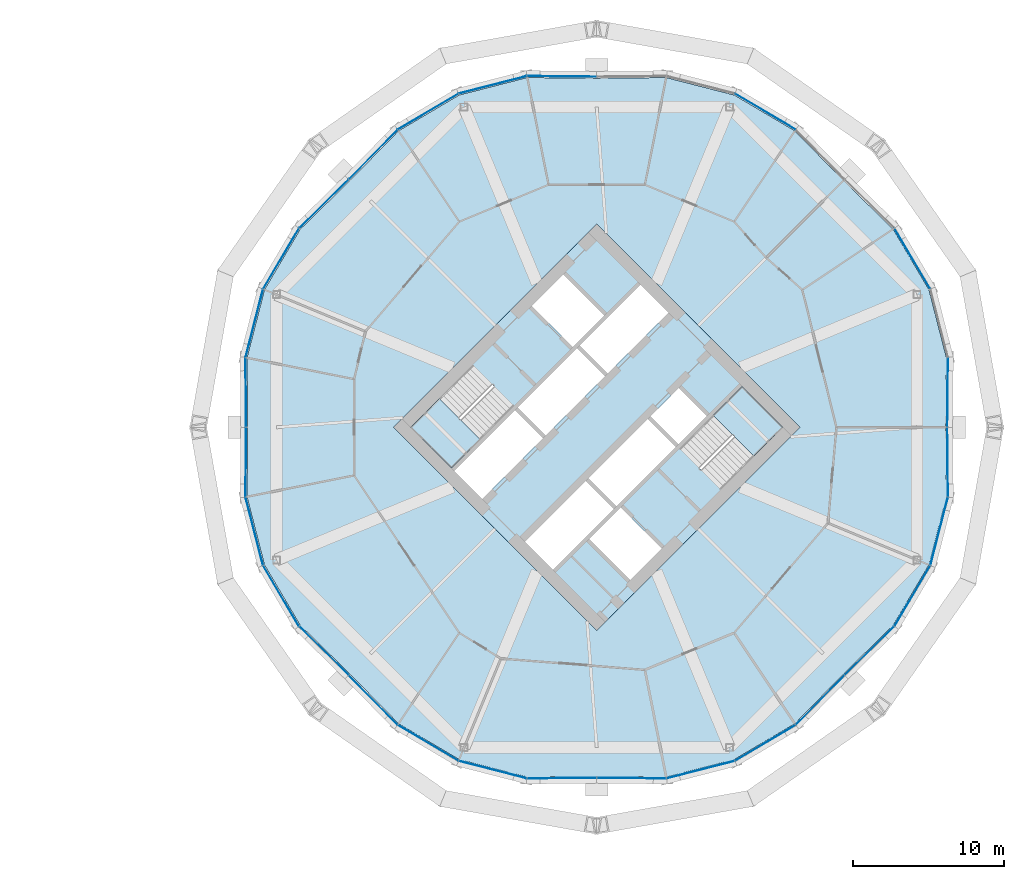
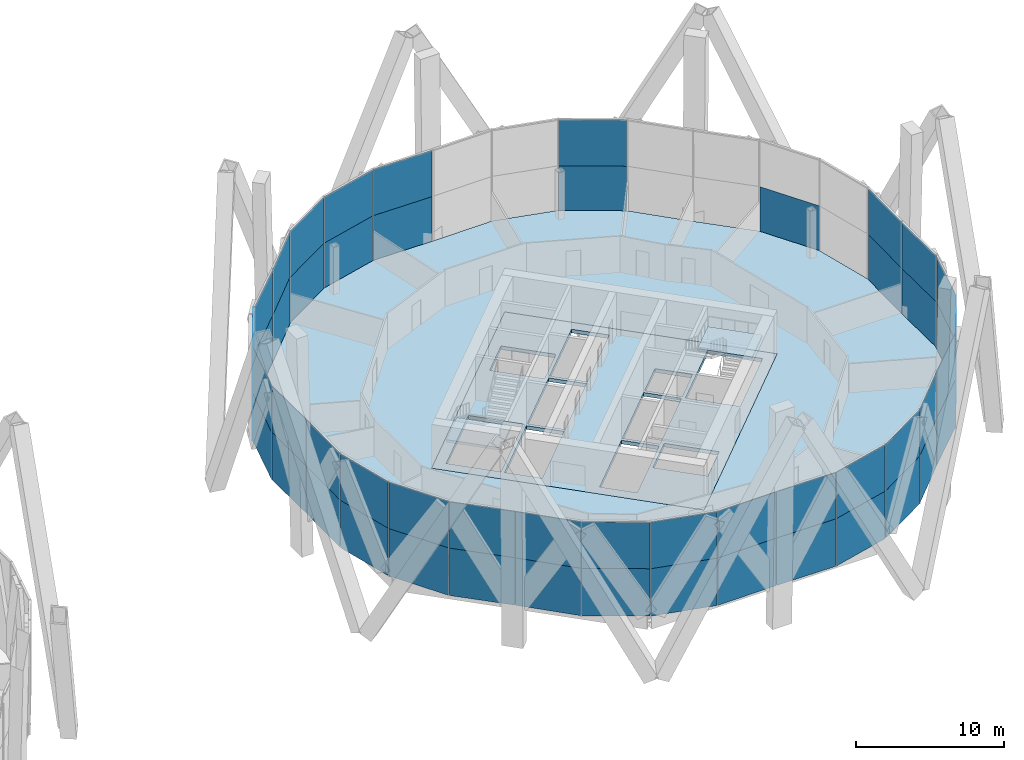
# One storey, part 20 of 31: 53 plates, 4 slabs, 10 elements without a shape of their own.
"""IFC4 building model written with IfcOpenShell, lengths in metres."""

from ifc_helpers import new_model, si_unit, direction, frame, origin, origin_2d, place, context, subcontext, project, spatial, polyline, rectangle, outline, extrude, material, layer, layer_set, type_object, element, aggregate, save


model = new_model("IFC4")

# Units and contexts
model_context = context("Model", 3, precision=1e-05, world=origin(), true_north=direction((0.0, 1.0)))
body_context = subcontext(model_context, "Body", "Model", "MODEL_VIEW")
ifc_project = project(units=[si_unit("LENGTHUNIT", "METRE"), si_unit("AREAUNIT", "SQUARE_METRE"), si_unit("VOLUMEUNIT", "CUBIC_METRE"), si_unit("PLANEANGLEUNIT", "RADIAN"), si_unit("MASSUNIT", "GRAM", prefix="KILO")], contexts=[model_context])

# Site, building, storey
site_placement = place(None, origin())
site = spatial("IfcSite", under=ifc_project, at=site_placement, CompositionType="ELEMENT")
building_placement = place(site_placement, origin())
building = spatial("IfcBuilding", under=site, at=building_placement, Name="Ogive Gate Towers", CompositionType="ELEMENT")
storey_placement = place(building_placement, frame((0.0, 0.0, 55.800048828125)))
storey = spatial("IfcBuildingStorey", under=building, at=storey_placement, Name="L12", CompositionType="ELEMENT", Elevation=55.800048828125)

# Slabs
ifc_material_1 = material(Name="Concrete C40/50", Category="concrete")
ifc_layer_1 = layer(ifc_material_1, 0.300048828125)
ifc_layer_set_1 = layer_set([ifc_layer_1], Name="Core slab C40/50 300 mm")
slab_type_1 = type_object("IfcSlabType", Name="Core slab C40/50 300 mm", PredefinedType="FLOOR", material=ifc_layer_set_1)
slab_1_placement = place(storey_placement, frame((0.0, 0.0, -0.300048828125)))
element("IfcSlab", 1, at=slab_1_placement, inside=storey, type_object=slab_type_1, Name="T2 L12 core slab", PredefinedType="FLOOR", context=body_context, shape_type="SweptSolid", body=[
    extrude(outline(polyline([(36.0, 13.43505859375), (49.43505859375, 0.0), (36.0, -13.43505859375), (22.56494140625, 0.0), (36.0, 13.43505859375)]), holes=[polyline([(30.590576171875, 1.13134765625), (26.577880859375, -2.881591796875), (28.43408203125, -4.737548828125), (32.44677734375, -0.724853515625), (30.590576171875, 1.13134765625)]), polyline([(36.548095703125, 3.37646484375), (34.69189453125, 5.232666015625), (30.767333984375, 1.30810546875), (32.62353515625, -0.548095703125), (36.548095703125, 3.37646484375)]), polyline([(36.724853515625, 3.55322265625), (40.737548828125, 7.56591796875), (38.881591796875, 9.422119140625), (34.86865234375, 5.409423828125), (36.724853515625, 3.55322265625)]), polyline([(31.262451171875, -7.56591796875), (33.118408203125, -9.422119140625), (37.13134765625, -5.409423828125), (35.275146484375, -3.55322265625), (31.262451171875, -7.56591796875)]), polyline([(39.37646484375, 0.548095703125), (35.451904296875, -3.37646484375), (37.30810546875, -5.232666015625), (41.232666015625, -1.30810546875), (39.37646484375, 0.548095703125)]), polyline([(43.283203125, 0.742431640625), (41.427001953125, 2.5986328125), (39.55322265625, 0.724853515625), (41.409423828125, -1.13134765625), (43.283203125, 0.742431640625)]), polyline([(34.408935546875, 5.30322265625), (36.4951171875, 7.389404296875), (33.790283203125, 10.093994140625), (31.704345703125, 8.008056640625), (34.408935546875, 5.30322265625)]), polyline([(35.5048828125, -7.389404296875), (38.209716796875, -10.093994140625), (40.295654296875, -8.008056640625), (37.591064453125, -5.30322265625), (35.5048828125, -7.389404296875)]), polyline([(26.40087890625, -2.70458984375), (30.512939453125, 1.406982421875), (27.80810546875, 4.11181640625), (23.6962890625, 0.0), (26.40087890625, -2.70458984375)]), polyline([(48.3037109375, 0.0), (45.59912109375, 2.70458984375), (41.487060546875, -1.406982421875), (44.19189453125, -4.11181640625), (48.3037109375, 0.0)])]), origin(), (0.0, 0.0, 1.0), 0.300048828125),
])
ifc_material_2 = material(Name="Concrete C35/45", Category="concrete")
ifc_layer_2 = layer(ifc_material_2, 0.300048828125)
ifc_layer_set_2 = layer_set([ifc_layer_2], Name="Floor slab 300")
slab_type_2 = type_object("IfcSlabType", Name="Floor slab 300", PredefinedType="FLOOR", material=ifc_layer_set_2)
slab_2_placement = place(storey_placement, frame((0.0, 0.0, -0.300048828125)))
element("IfcSlab", 2, at=slab_2_placement, inside=storey, type_object=slab_type_2, Name="T2/L12/SSL001", PredefinedType="FLOOR", context=body_context, shape_type="SweptSolid", body=[
    extrude(outline(polyline([(59.107421875, -4.596435546875), (59.06005859375, 0.0), (59.107421875, 4.596435546875), (57.951416015625, 9.092529296875), (55.58935546875, 13.08935546875), (52.305908203125, 16.305908203125), (49.08935546875, 19.58935546875), (45.092529296875, 21.951416015625), (40.596435546875, 23.107421875), (36.0, 23.06005859375), (31.403564453125, 23.107421875), (26.907470703125, 21.951416015625), (22.91064453125, 19.58935546875), (19.694091796875, 16.305908203125), (16.41064453125, 13.08935546875), (14.048583984375, 9.092529296875), (12.892578125, 4.596435546875), (12.93994140625, 0.0), (12.892578125, -4.596435546875), (14.048583984375, -9.092529296875), (16.41064453125, -13.08935546875), (19.694091796875, -16.305908203125), (22.91064453125, -19.58935546875), (26.907470703125, -21.951416015625), (31.403564453125, -23.107421875), (36.0, -23.06005859375), (40.596435546875, -23.107421875), (45.092529296875, -21.951416015625), (49.08935546875, -19.58935546875), (52.305908203125, -16.305908203125), (55.58935546875, -13.08935546875), (57.951416015625, -9.092529296875), (59.107421875, -4.596435546875)]), holes=[polyline([(49.43505859375, 0.0), (36.0, -13.43505859375), (22.56494140625, 0.0), (36.0, 13.43505859375), (49.43505859375, 0.0)])]), origin(), (0.0, 0.0, 1.0), 0.300048828125),
])

# Stair, slab
stair_type = type_object("IfcStairType", Name="Escape stair 1840 wide", PredefinedType="HALF_TURN_STAIR", material=ifc_material_1)
stair_1_placement = place(storey_placement, origin())
stair_1 = element("IfcStair", 3, at=stair_1_placement, inside=storey, type_object=stair_type, Name="L12 Escape stair 1", PredefinedType="HALF_TURN_STAIR")
ifc_layer_3 = layer(ifc_material_1, 0.199951171875)
ifc_layer_set_3 = layer_set([ifc_layer_3], Name="Stair landing 200 mm")
slab_type_3 = type_object("IfcSlabType", Name="Stair landing 200 mm", PredefinedType="LANDING", material=ifc_layer_set_3)
slab_3_placement = place(storey_placement, frame((0.0, 0.0, 1.75)))
slab_3 = element("IfcSlab", 4, at=slab_3_placement, type_object=slab_type_3, Name="ST1 landing 1", PredefinedType="LANDING", context=body_context, shape_type="SweptSolid", body=[
    extrude(outline(polyline([(25.6044921875, 1.908203125), (23.6962890625, 0.0), (26.401123046875, -2.70458984375), (28.309326171875, -0.79638671875), (25.6044921875, 1.908203125)])), origin(), (0.0, 0.0, 1.0), 0.199951171875),
])
aggregate(stair_1, [slab_3])

stair_2_placement = place(storey_placement, origin())
stair_2 = element("IfcStair", 5, at=stair_2_placement, inside=storey, type_object=stair_type, Name="L12 Escape stair 2", PredefinedType="HALF_TURN_STAIR")
slab_4_placement = place(storey_placement, frame((0.0, 0.0, 1.75)))
slab_4 = element("IfcSlab", 6, at=slab_4_placement, type_object=slab_type_3, Name="ST2 landing 1", PredefinedType="LANDING", context=body_context, shape_type="SweptSolid", body=[
    extrude(outline(polyline([(46.3955078125, -1.908203125), (48.3037109375, 0.0), (45.598876953125, 2.70458984375), (43.690673828125, 0.79638671875), (46.3955078125, -1.908203125)])), origin(), (0.0, 0.0, 1.0), 0.199951171875),
])
aggregate(stair_2, [slab_4])

# Curtain wall, plates
ifc_material_3 = material(Name="Pale metal aluminium", Category="aluminium")
curtain_wall_type = type_object("IfcCurtainWallType", Name="Tower unitised wall, low zone", PredefinedType="NOTDEFINED", material=ifc_material_3)
curtain_wall_1_placement = place(storey_placement, origin())
curtain_wall_1 = element("IfcCurtainWall", 7, at=curtain_wall_1_placement, inside=storey, type_object=curtain_wall_type, Name="CW1 T2 ECW01", PredefinedType="NOTDEFINED")
ifc_material_4 = material(Name="Clear glass", Category="glass")
ifc_layer_4 = layer(ifc_material_4, 0.028076171875)
ifc_layer_set_4 = layer_set([ifc_layer_4], Name="Tower unitised wall, low zone glass panel")
plate_type = type_object("IfcPlateType", Name="Tower unitised wall, low zone glass panel", PredefinedType="CURTAIN_PANEL", material=ifc_layer_set_4)
plate_1_placement = place(storey_placement, frame((59.18359375, 2.30224609375, -0.300048828125), z_axis=(0.0, 0.0, 1.0), x_axis=(0.010279808233, 0.999947161375, 0.0)))
plate_1 = element("IfcPlate", 8, at=plate_1_placement, type_object=plate_type, Name="CW1 glass panel", PredefinedType="CURTAIN_PANEL", context=body_context, shape_type="SweptSolid", body=[
    extrude(rectangle(XDim=4.55078125, YDim=0.028076171875, at=origin_2d()), origin(), (0.0, 0.0, 1.0), 3.89990234375),
])
plate_2_placement = place(storey_placement, frame((59.18359375, 2.30224609375, 3.60009765625), z_axis=(0.0, 0.0, 1.0), x_axis=(0.010279808233, 0.999947161375, 0.0)))
plate_2 = element("IfcPlate", 9, at=plate_2_placement, type_object=plate_type, Name="CW1 glass panel", PredefinedType="CURTAIN_PANEL", context=body_context, shape_type="SweptSolid", body=[
    extrude(rectangle(XDim=4.55078125, YDim=0.028076171875, at=origin_2d()), origin(), (0.0, 0.0, 1.0), 3.803955078125),
])
plate_3_placement = place(storey_placement, frame((56.856689453125, 11.141357421875, -0.300048828125), z_axis=(0.0, 0.0, 1.0), x_axis=(-0.508770980552, 0.860901904603, 0.0)))
plate_3 = element("IfcPlate", 10, at=plate_3_placement, type_object=plate_type, Name="CW1 glass panel", PredefinedType="CURTAIN_PANEL", context=body_context, shape_type="SweptSolid", body=[
    extrude(rectangle(XDim=4.60791015625, YDim=0.028076171875, at=origin_2d()), origin(), (0.0, 0.0, 1.0), 3.89990234375),
])
aggregate(curtain_wall_1, [plate_1, plate_2, plate_3])

curtain_wall_2_placement = place(storey_placement, origin())
curtain_wall_2 = element("IfcCurtainWall", 11, at=curtain_wall_2_placement, inside=storey, type_object=curtain_wall_type, Name="CW1 T2 ECW02", PredefinedType="NOTDEFINED")
plate_4_placement = place(storey_placement, frame((47.141357421875, 20.856689453125, -0.300048828125), z_axis=(0.0, 0.0, 1.0), x_axis=(-0.860901904603, 0.508770980552, 0.0)))
plate_4 = element("IfcPlate", 12, at=plate_4_placement, type_object=plate_type, Name="CW1 glass panel", PredefinedType="CURTAIN_PANEL", context=body_context, shape_type="SweptSolid", body=[
    extrude(rectangle(XDim=4.60791015625, YDim=0.028076171875, at=origin_2d()), origin(), (0.0, 0.0, 1.0), 3.89990234375),
])
plate_5_placement = place(storey_placement, frame((47.141357421875, 20.856689453125, 3.60009765625), z_axis=(0.0, 0.0, 1.0), x_axis=(-0.860901904603, 0.508770980552, 0.0)))
plate_5 = element("IfcPlate", 13, at=plate_5_placement, type_object=plate_type, Name="CW1 glass panel", PredefinedType="CURTAIN_PANEL", context=body_context, shape_type="SweptSolid", body=[
    extrude(rectangle(XDim=4.60791015625, YDim=0.028076171875, at=origin_2d()), origin(), (0.0, 0.0, 1.0), 3.803955078125),
])
aggregate(curtain_wall_2, [plate_4, plate_5])

curtain_wall_3_placement = place(storey_placement, origin())
curtain_wall_3 = element("IfcCurtainWall", 14, at=curtain_wall_3_placement, inside=storey, type_object=curtain_wall_type, Name="CW1 T2 ECW03", PredefinedType="NOTDEFINED")
plate_6_placement = place(storey_placement, frame((33.69775390625, 23.18359375, -0.300048828125), z_axis=(0.0, 0.0, 1.0), x_axis=(-0.999947161375, 0.010279808233, 0.0)))
plate_6 = element("IfcPlate", 15, at=plate_6_placement, type_object=plate_type, Name="CW1 glass panel", PredefinedType="CURTAIN_PANEL", context=body_context, shape_type="SweptSolid", body=[
    extrude(rectangle(XDim=4.55078125, YDim=0.028076171875, at=origin_2d()), origin(), (0.0, 0.0, 1.0), 3.89990234375),
])
plate_7_placement = place(storey_placement, frame((33.69775390625, 23.18359375, 3.60009765625), z_axis=(0.0, 0.0, 1.0), x_axis=(-0.999947161375, 0.010279808233, 0.0)))
plate_7 = element("IfcPlate", 16, at=plate_7_placement, type_object=plate_type, Name="CW1 glass panel", PredefinedType="CURTAIN_PANEL", context=body_context, shape_type="SweptSolid", body=[
    extrude(rectangle(XDim=4.55078125, YDim=0.028076171875, at=origin_2d()), origin(), (0.0, 0.0, 1.0), 3.803955078125),
])
plate_8_placement = place(storey_placement, frame((29.130126953125, 22.626220703125, -0.300048828125), z_axis=(0.0, 0.0, 1.0), x_axis=(-0.96850933072, -0.248977260623, 0.0)))
plate_8 = element("IfcPlate", 17, at=plate_8_placement, type_object=plate_type, Name="CW1 glass panel", PredefinedType="CURTAIN_PANEL", context=body_context, shape_type="SweptSolid", body=[
    extrude(rectangle(XDim=4.60791015625, YDim=0.028076171875, at=origin_2d()), origin(), (0.0, 0.0, 1.0), 3.89990234375),
])
plate_9_placement = place(storey_placement, frame((29.130126953125, 22.626220703125, 3.60009765625), z_axis=(0.0, 0.0, 1.0), x_axis=(-0.96850933072, -0.248977260623, 0.0)))
plate_9 = element("IfcPlate", 18, at=plate_9_placement, type_object=plate_type, Name="CW1 glass panel", PredefinedType="CURTAIN_PANEL", context=body_context, shape_type="SweptSolid", body=[
    extrude(rectangle(XDim=4.60791015625, YDim=0.028076171875, at=origin_2d()), origin(), (0.0, 0.0, 1.0), 3.803955078125),
])
plate_10_placement = place(storey_placement, frame((24.858642578125, 20.856689453125, -0.300048828125), z_axis=(0.0, 0.0, 1.0), x_axis=(-0.860901904603, -0.508770980552, 0.0)))
plate_10 = element("IfcPlate", 19, at=plate_10_placement, type_object=plate_type, Name="CW1 glass panel", PredefinedType="CURTAIN_PANEL", context=body_context, shape_type="SweptSolid", body=[
    extrude(rectangle(XDim=4.60791015625, YDim=0.028076171875, at=origin_2d()), origin(), (0.0, 0.0, 1.0), 3.89990234375),
])
plate_11_placement = place(storey_placement, frame((24.858642578125, 20.856689453125, 3.60009765625), z_axis=(0.0, 0.0, 1.0), x_axis=(-0.860901904603, -0.508770980552, 0.0)))
plate_11 = element("IfcPlate", 20, at=plate_11_placement, type_object=plate_type, Name="CW1 glass panel", PredefinedType="CURTAIN_PANEL", context=body_context, shape_type="SweptSolid", body=[
    extrude(rectangle(XDim=4.60791015625, YDim=0.028076171875, at=origin_2d()), origin(), (0.0, 0.0, 1.0), 3.803955078125),
])
plate_12_placement = place(storey_placement, frame((21.234619140625, 18.021240234375, -0.300048828125), z_axis=(0.0, 0.0, 1.0), x_axis=(-0.699788028863, -0.714350554462, 0.0)))
plate_12 = element("IfcPlate", 21, at=plate_12_placement, type_object=plate_type, Name="CW1 glass panel", PredefinedType="CURTAIN_PANEL", context=body_context, shape_type="SweptSolid", body=[
    extrude(rectangle(XDim=4.55078125, YDim=0.028076171875, at=origin_2d()), origin(), (0.0, 0.0, 1.0), 3.89990234375),
])
plate_13_placement = place(storey_placement, frame((21.234619140625, 18.021240234375, 3.60009765625), z_axis=(0.0, 0.0, 1.0), x_axis=(-0.699788028863, -0.714350554462, 0.0)))
plate_13 = element("IfcPlate", 22, at=plate_13_placement, type_object=plate_type, Name="CW1 glass panel", PredefinedType="CURTAIN_PANEL", context=body_context, shape_type="SweptSolid", body=[
    extrude(rectangle(XDim=4.55078125, YDim=0.028076171875, at=origin_2d()), origin(), (0.0, 0.0, 1.0), 3.803955078125),
])
aggregate(curtain_wall_3, [plate_6, plate_7, plate_8, plate_9, plate_10, plate_11, plate_12, plate_13])

curtain_wall_4_placement = place(storey_placement, origin())
curtain_wall_4 = element("IfcCurtainWall", 23, at=curtain_wall_4_placement, inside=storey, type_object=curtain_wall_type, Name="CW1 T2 ECW04", PredefinedType="NOTDEFINED")
plate_14_placement = place(storey_placement, frame((17.978759765625, 14.765380859375, -0.300048828125), z_axis=(0.0, 0.0, 1.0), x_axis=(-0.714350554462, -0.699788028863, 0.0)))
plate_14 = element("IfcPlate", 24, at=plate_14_placement, type_object=plate_type, Name="CW1 glass panel", PredefinedType="CURTAIN_PANEL", context=body_context, shape_type="SweptSolid", body=[
    extrude(rectangle(XDim=4.55078125, YDim=0.028076171875, at=origin_2d()), origin(), (0.0, 0.0, 1.0), 3.89990234375),
])
plate_15_placement = place(storey_placement, frame((17.978759765625, 14.765380859375, 3.60009765625), z_axis=(0.0, 0.0, 1.0), x_axis=(-0.714350554462, -0.699788028863, 0.0)))
plate_15 = element("IfcPlate", 25, at=plate_15_placement, type_object=plate_type, Name="CW1 glass panel", PredefinedType="CURTAIN_PANEL", context=body_context, shape_type="SweptSolid", body=[
    extrude(rectangle(XDim=4.55078125, YDim=0.028076171875, at=origin_2d()), origin(), (0.0, 0.0, 1.0), 3.803955078125),
])
plate_16_placement = place(storey_placement, frame((15.143310546875, 11.141357421875, -0.300048828125), z_axis=(0.0, 0.0, 1.0), x_axis=(-0.508770980552, -0.860901904603, 0.0)))
plate_16 = element("IfcPlate", 26, at=plate_16_placement, type_object=plate_type, Name="CW1 glass panel", PredefinedType="CURTAIN_PANEL", context=body_context, shape_type="SweptSolid", body=[
    extrude(rectangle(XDim=4.60791015625, YDim=0.028076171875, at=origin_2d()), origin(), (0.0, 0.0, 1.0), 3.89990234375),
])
plate_17_placement = place(storey_placement, frame((15.143310546875, 11.141357421875, 3.60009765625), z_axis=(0.0, 0.0, 1.0), x_axis=(-0.508770980552, -0.860901904603, 0.0)))
plate_17 = element("IfcPlate", 27, at=plate_17_placement, type_object=plate_type, Name="CW1 glass panel", PredefinedType="CURTAIN_PANEL", context=body_context, shape_type="SweptSolid", body=[
    extrude(rectangle(XDim=4.60791015625, YDim=0.028076171875, at=origin_2d()), origin(), (0.0, 0.0, 1.0), 3.803955078125),
])
plate_18_placement = place(storey_placement, frame((13.373779296875, 6.869873046875, -0.300048828125), z_axis=(0.0, 0.0, 1.0), x_axis=(-0.248977260623, -0.96850933072, 0.0)))
plate_18 = element("IfcPlate", 28, at=plate_18_placement, type_object=plate_type, Name="CW1 glass panel", PredefinedType="CURTAIN_PANEL", context=body_context, shape_type="SweptSolid", body=[
    extrude(rectangle(XDim=4.60791015625, YDim=0.028076171875, at=origin_2d()), origin(), (0.0, 0.0, 1.0), 3.89990234375),
])
plate_19_placement = place(storey_placement, frame((13.373779296875, 6.869873046875, 3.60009765625), z_axis=(0.0, 0.0, 1.0), x_axis=(-0.248977260623, -0.96850933072, 0.0)))
plate_19 = element("IfcPlate", 29, at=plate_19_placement, type_object=plate_type, Name="CW1 glass panel", PredefinedType="CURTAIN_PANEL", context=body_context, shape_type="SweptSolid", body=[
    extrude(rectangle(XDim=4.60791015625, YDim=0.028076171875, at=origin_2d()), origin(), (0.0, 0.0, 1.0), 3.803955078125),
])
plate_20_placement = place(storey_placement, frame((12.81640625, 2.30224609375, -0.300048828125), z_axis=(0.0, 0.0, 1.0), x_axis=(0.010279808233, -0.999947161375, 0.0)))
plate_20 = element("IfcPlate", 30, at=plate_20_placement, type_object=plate_type, Name="CW1 glass panel", PredefinedType="CURTAIN_PANEL", context=body_context, shape_type="SweptSolid", body=[
    extrude(rectangle(XDim=4.55078125, YDim=0.028076171875, at=origin_2d()), origin(), (0.0, 0.0, 1.0), 3.89990234375),
])
plate_21_placement = place(storey_placement, frame((12.81640625, 2.30224609375, 3.60009765625), z_axis=(0.0, 0.0, 1.0), x_axis=(0.010279808233, -0.999947161375, 0.0)))
plate_21 = element("IfcPlate", 31, at=plate_21_placement, type_object=plate_type, Name="CW1 glass panel", PredefinedType="CURTAIN_PANEL", context=body_context, shape_type="SweptSolid", body=[
    extrude(rectangle(XDim=4.55078125, YDim=0.028076171875, at=origin_2d()), origin(), (0.0, 0.0, 1.0), 3.803955078125),
])
aggregate(curtain_wall_4, [plate_14, plate_15, plate_16, plate_17, plate_18, plate_19, plate_20, plate_21])

curtain_wall_5_placement = place(storey_placement, origin())
curtain_wall_5 = element("IfcCurtainWall", 32, at=curtain_wall_5_placement, inside=storey, type_object=curtain_wall_type, Name="CW1 T2 ECW05", PredefinedType="NOTDEFINED")
plate_22_placement = place(storey_placement, frame((12.81640625, -2.30224609375, -0.300048828125), z_axis=(0.0, 0.0, 1.0), x_axis=(-0.010279808233, -0.999947161375, 0.0)))
plate_22 = element("IfcPlate", 33, at=plate_22_placement, type_object=plate_type, Name="CW1 glass panel", PredefinedType="CURTAIN_PANEL", context=body_context, shape_type="SweptSolid", body=[
    extrude(rectangle(XDim=4.55078125, YDim=0.028076171875, at=origin_2d()), origin(), (0.0, 0.0, 1.0), 3.89990234375),
])
plate_23_placement = place(storey_placement, frame((12.81640625, -2.30224609375, 3.60009765625), z_axis=(0.0, 0.0, 1.0), x_axis=(-0.010279808233, -0.999947161375, 0.0)))
plate_23 = element("IfcPlate", 34, at=plate_23_placement, type_object=plate_type, Name="CW1 glass panel", PredefinedType="CURTAIN_PANEL", context=body_context, shape_type="SweptSolid", body=[
    extrude(rectangle(XDim=4.55078125, YDim=0.028076171875, at=origin_2d()), origin(), (0.0, 0.0, 1.0), 3.803955078125),
])
plate_24_placement = place(storey_placement, frame((13.373779296875, -6.869873046875, -0.300048828125), z_axis=(0.0, 0.0, 1.0), x_axis=(0.248977260623, -0.96850933072, 0.0)))
plate_24 = element("IfcPlate", 35, at=plate_24_placement, type_object=plate_type, Name="CW1 glass panel", PredefinedType="CURTAIN_PANEL", context=body_context, shape_type="SweptSolid", body=[
    extrude(rectangle(XDim=4.60791015625, YDim=0.028076171875, at=origin_2d()), origin(), (0.0, 0.0, 1.0), 3.89990234375),
])
plate_25_placement = place(storey_placement, frame((13.373779296875, -6.869873046875, 3.60009765625), z_axis=(0.0, 0.0, 1.0), x_axis=(0.248977260623, -0.96850933072, 0.0)))
plate_25 = element("IfcPlate", 36, at=plate_25_placement, type_object=plate_type, Name="CW1 glass panel", PredefinedType="CURTAIN_PANEL", context=body_context, shape_type="SweptSolid", body=[
    extrude(rectangle(XDim=4.60791015625, YDim=0.028076171875, at=origin_2d()), origin(), (0.0, 0.0, 1.0), 3.803955078125),
])
plate_26_placement = place(storey_placement, frame((15.143310546875, -11.141357421875, -0.300048828125), z_axis=(0.0, 0.0, 1.0), x_axis=(0.508770980552, -0.860901904603, 0.0)))
plate_26 = element("IfcPlate", 37, at=plate_26_placement, type_object=plate_type, Name="CW1 glass panel", PredefinedType="CURTAIN_PANEL", context=body_context, shape_type="SweptSolid", body=[
    extrude(rectangle(XDim=4.60791015625, YDim=0.028076171875, at=origin_2d()), origin(), (0.0, 0.0, 1.0), 3.89990234375),
])
plate_27_placement = place(storey_placement, frame((15.143310546875, -11.141357421875, 3.60009765625), z_axis=(0.0, 0.0, 1.0), x_axis=(0.508770980552, -0.860901904603, 0.0)))
plate_27 = element("IfcPlate", 38, at=plate_27_placement, type_object=plate_type, Name="CW1 glass panel", PredefinedType="CURTAIN_PANEL", context=body_context, shape_type="SweptSolid", body=[
    extrude(rectangle(XDim=4.60791015625, YDim=0.028076171875, at=origin_2d()), origin(), (0.0, 0.0, 1.0), 3.803955078125),
])
plate_28_placement = place(storey_placement, frame((17.978759765625, -14.765380859375, -0.300048828125), z_axis=(0.0, 0.0, 1.0), x_axis=(0.714350554462, -0.699788028863, 0.0)))
plate_28 = element("IfcPlate", 39, at=plate_28_placement, type_object=plate_type, Name="CW1 glass panel", PredefinedType="CURTAIN_PANEL", context=body_context, shape_type="SweptSolid", body=[
    extrude(rectangle(XDim=4.55078125, YDim=0.028076171875, at=origin_2d()), origin(), (0.0, 0.0, 1.0), 3.89990234375),
])
plate_29_placement = place(storey_placement, frame((17.978759765625, -14.765380859375, 3.60009765625), z_axis=(0.0, 0.0, 1.0), x_axis=(0.714350554462, -0.699788028863, 0.0)))
plate_29 = element("IfcPlate", 40, at=plate_29_placement, type_object=plate_type, Name="CW1 glass panel", PredefinedType="CURTAIN_PANEL", context=body_context, shape_type="SweptSolid", body=[
    extrude(rectangle(XDim=4.55078125, YDim=0.028076171875, at=origin_2d()), origin(), (0.0, 0.0, 1.0), 3.803955078125),
])
aggregate(curtain_wall_5, [plate_22, plate_23, plate_24, plate_25, plate_26, plate_27, plate_28, plate_29])

curtain_wall_6_placement = place(storey_placement, origin())
curtain_wall_6 = element("IfcCurtainWall", 41, at=curtain_wall_6_placement, inside=storey, type_object=curtain_wall_type, Name="CW1 T2 ECW06", PredefinedType="NOTDEFINED")
plate_30_placement = place(storey_placement, frame((21.234619140625, -18.021240234375, -0.300048828125), z_axis=(0.0, 0.0, 1.0), x_axis=(0.699788028863, -0.714350554462, 0.0)))
plate_30 = element("IfcPlate", 42, at=plate_30_placement, type_object=plate_type, Name="CW1 glass panel", PredefinedType="CURTAIN_PANEL", context=body_context, shape_type="SweptSolid", body=[
    extrude(rectangle(XDim=4.55078125, YDim=0.028076171875, at=origin_2d()), origin(), (0.0, 0.0, 1.0), 3.89990234375),
])
plate_31_placement = place(storey_placement, frame((21.234619140625, -18.021240234375, 3.60009765625), z_axis=(0.0, 0.0, 1.0), x_axis=(0.699788028863, -0.714350554462, 0.0)))
plate_31 = element("IfcPlate", 43, at=plate_31_placement, type_object=plate_type, Name="CW1 glass panel", PredefinedType="CURTAIN_PANEL", context=body_context, shape_type="SweptSolid", body=[
    extrude(rectangle(XDim=4.55078125, YDim=0.028076171875, at=origin_2d()), origin(), (0.0, 0.0, 1.0), 3.803955078125),
])
plate_32_placement = place(storey_placement, frame((24.858642578125, -20.856689453125, -0.300048828125), z_axis=(0.0, 0.0, 1.0), x_axis=(0.860901904603, -0.508770980552, 0.0)))
plate_32 = element("IfcPlate", 44, at=plate_32_placement, type_object=plate_type, Name="CW1 glass panel", PredefinedType="CURTAIN_PANEL", context=body_context, shape_type="SweptSolid", body=[
    extrude(rectangle(XDim=4.60791015625, YDim=0.028076171875, at=origin_2d()), origin(), (0.0, 0.0, 1.0), 3.89990234375),
])
plate_33_placement = place(storey_placement, frame((24.858642578125, -20.856689453125, 3.60009765625), z_axis=(0.0, 0.0, 1.0), x_axis=(0.860901904603, -0.508770980552, 0.0)))
plate_33 = element("IfcPlate", 45, at=plate_33_placement, type_object=plate_type, Name="CW1 glass panel", PredefinedType="CURTAIN_PANEL", context=body_context, shape_type="SweptSolid", body=[
    extrude(rectangle(XDim=4.60791015625, YDim=0.028076171875, at=origin_2d()), origin(), (0.0, 0.0, 1.0), 3.803955078125),
])
plate_34_placement = place(storey_placement, frame((29.130126953125, -22.626220703125, -0.300048828125), z_axis=(0.0, 0.0, 1.0), x_axis=(0.96850933072, -0.248977260623, 0.0)))
plate_34 = element("IfcPlate", 46, at=plate_34_placement, type_object=plate_type, Name="CW1 glass panel", PredefinedType="CURTAIN_PANEL", context=body_context, shape_type="SweptSolid", body=[
    extrude(rectangle(XDim=4.60791015625, YDim=0.028076171875, at=origin_2d()), origin(), (0.0, 0.0, 1.0), 3.89990234375),
])
plate_35_placement = place(storey_placement, frame((29.130126953125, -22.626220703125, 3.60009765625), z_axis=(0.0, 0.0, 1.0), x_axis=(0.96850933072, -0.248977260623, 0.0)))
plate_35 = element("IfcPlate", 47, at=plate_35_placement, type_object=plate_type, Name="CW1 glass panel", PredefinedType="CURTAIN_PANEL", context=body_context, shape_type="SweptSolid", body=[
    extrude(rectangle(XDim=4.60791015625, YDim=0.028076171875, at=origin_2d()), origin(), (0.0, 0.0, 1.0), 3.803955078125),
])
plate_36_placement = place(storey_placement, frame((33.69775390625, -23.18359375, -0.300048828125), z_axis=(0.0, 0.0, 1.0), x_axis=(0.999947161375, 0.010279808233, 0.0)))
plate_36 = element("IfcPlate", 48, at=plate_36_placement, type_object=plate_type, Name="CW1 glass panel", PredefinedType="CURTAIN_PANEL", context=body_context, shape_type="SweptSolid", body=[
    extrude(rectangle(XDim=4.55078125, YDim=0.028076171875, at=origin_2d()), origin(), (0.0, 0.0, 1.0), 3.89990234375),
])
plate_37_placement = place(storey_placement, frame((33.69775390625, -23.18359375, 3.60009765625), z_axis=(0.0, 0.0, 1.0), x_axis=(0.999947161375, 0.010279808233, 0.0)))
plate_37 = element("IfcPlate", 49, at=plate_37_placement, type_object=plate_type, Name="CW1 glass panel", PredefinedType="CURTAIN_PANEL", context=body_context, shape_type="SweptSolid", body=[
    extrude(rectangle(XDim=4.55078125, YDim=0.028076171875, at=origin_2d()), origin(), (0.0, 0.0, 1.0), 3.803955078125),
])
aggregate(curtain_wall_6, [plate_30, plate_31, plate_32, plate_33, plate_34, plate_35, plate_36, plate_37])

curtain_wall_7_placement = place(storey_placement, origin())
curtain_wall_7 = element("IfcCurtainWall", 50, at=curtain_wall_7_placement, inside=storey, type_object=curtain_wall_type, Name="CW1 T2 ECW07", PredefinedType="NOTDEFINED")
plate_38_placement = place(storey_placement, frame((38.30224609375, -23.18359375, -0.300048828125), z_axis=(0.0, 0.0, 1.0), x_axis=(0.999947161375, -0.010279808233, 0.0)))
plate_38 = element("IfcPlate", 51, at=plate_38_placement, type_object=plate_type, Name="CW1 glass panel", PredefinedType="CURTAIN_PANEL", context=body_context, shape_type="SweptSolid", body=[
    extrude(rectangle(XDim=4.55078125, YDim=0.028076171875, at=origin_2d()), origin(), (0.0, 0.0, 1.0), 3.89990234375),
])
plate_39_placement = place(storey_placement, frame((38.30224609375, -23.18359375, 3.60009765625), z_axis=(0.0, 0.0, 1.0), x_axis=(0.999947161375, -0.010279808233, 0.0)))
plate_39 = element("IfcPlate", 52, at=plate_39_placement, type_object=plate_type, Name="CW1 glass panel", PredefinedType="CURTAIN_PANEL", context=body_context, shape_type="SweptSolid", body=[
    extrude(rectangle(XDim=4.55078125, YDim=0.028076171875, at=origin_2d()), origin(), (0.0, 0.0, 1.0), 3.803955078125),
])
plate_40_placement = place(storey_placement, frame((42.869873046875, -22.626220703125, -0.300048828125), z_axis=(0.0, 0.0, 1.0), x_axis=(0.96850933072, 0.248977260623, 0.0)))
plate_40 = element("IfcPlate", 53, at=plate_40_placement, type_object=plate_type, Name="CW1 glass panel", PredefinedType="CURTAIN_PANEL", context=body_context, shape_type="SweptSolid", body=[
    extrude(rectangle(XDim=4.60791015625, YDim=0.028076171875, at=origin_2d()), origin(), (0.0, 0.0, 1.0), 3.89990234375),
])
plate_41_placement = place(storey_placement, frame((42.869873046875, -22.626220703125, 3.60009765625), z_axis=(0.0, 0.0, 1.0), x_axis=(0.96850933072, 0.248977260623, 0.0)))
plate_41 = element("IfcPlate", 54, at=plate_41_placement, type_object=plate_type, Name="CW1 glass panel", PredefinedType="CURTAIN_PANEL", context=body_context, shape_type="SweptSolid", body=[
    extrude(rectangle(XDim=4.60791015625, YDim=0.028076171875, at=origin_2d()), origin(), (0.0, 0.0, 1.0), 3.803955078125),
])
plate_42_placement = place(storey_placement, frame((47.141357421875, -20.856689453125, -0.300048828125), z_axis=(0.0, 0.0, 1.0), x_axis=(0.860901904603, 0.508770980552, 0.0)))
plate_42 = element("IfcPlate", 55, at=plate_42_placement, type_object=plate_type, Name="CW1 glass panel", PredefinedType="CURTAIN_PANEL", context=body_context, shape_type="SweptSolid", body=[
    extrude(rectangle(XDim=4.60791015625, YDim=0.028076171875, at=origin_2d()), origin(), (0.0, 0.0, 1.0), 3.89990234375),
])
plate_43_placement = place(storey_placement, frame((47.141357421875, -20.856689453125, 3.60009765625), z_axis=(0.0, 0.0, 1.0), x_axis=(0.860901904603, 0.508770980552, 0.0)))
plate_43 = element("IfcPlate", 56, at=plate_43_placement, type_object=plate_type, Name="CW1 glass panel", PredefinedType="CURTAIN_PANEL", context=body_context, shape_type="SweptSolid", body=[
    extrude(rectangle(XDim=4.60791015625, YDim=0.028076171875, at=origin_2d()), origin(), (0.0, 0.0, 1.0), 3.803955078125),
])
plate_44_placement = place(storey_placement, frame((50.765380859375, -18.021240234375, -0.300048828125), z_axis=(0.0, 0.0, 1.0), x_axis=(0.699788028863, 0.714350554462, 0.0)))
plate_44 = element("IfcPlate", 57, at=plate_44_placement, type_object=plate_type, Name="CW1 glass panel", PredefinedType="CURTAIN_PANEL", context=body_context, shape_type="SweptSolid", body=[
    extrude(rectangle(XDim=4.55078125, YDim=0.028076171875, at=origin_2d()), origin(), (0.0, 0.0, 1.0), 3.89990234375),
])
plate_45_placement = place(storey_placement, frame((50.765380859375, -18.021240234375, 3.60009765625), z_axis=(0.0, 0.0, 1.0), x_axis=(0.699788028863, 0.714350554462, 0.0)))
plate_45 = element("IfcPlate", 58, at=plate_45_placement, type_object=plate_type, Name="CW1 glass panel", PredefinedType="CURTAIN_PANEL", context=body_context, shape_type="SweptSolid", body=[
    extrude(rectangle(XDim=4.55078125, YDim=0.028076171875, at=origin_2d()), origin(), (0.0, 0.0, 1.0), 3.803955078125),
])
aggregate(curtain_wall_7, [plate_38, plate_39, plate_40, plate_41, plate_42, plate_43, plate_44, plate_45])

curtain_wall_8_placement = place(storey_placement, origin())
curtain_wall_8 = element("IfcCurtainWall", 59, at=curtain_wall_8_placement, inside=storey, type_object=curtain_wall_type, Name="CW1 T2 ECW08", PredefinedType="NOTDEFINED")
plate_46_placement = place(storey_placement, frame((54.021240234375, -14.765380859375, -0.300048828125), z_axis=(0.0, 0.0, 1.0), x_axis=(0.714350554462, 0.699788028863, 0.0)))
plate_46 = element("IfcPlate", 60, at=plate_46_placement, type_object=plate_type, Name="CW1 glass panel", PredefinedType="CURTAIN_PANEL", context=body_context, shape_type="SweptSolid", body=[
    extrude(rectangle(XDim=4.55078125, YDim=0.028076171875, at=origin_2d()), origin(), (0.0, 0.0, 1.0), 3.89990234375),
])
plate_47_placement = place(storey_placement, frame((54.021240234375, -14.765380859375, 3.60009765625), z_axis=(0.0, 0.0, 1.0), x_axis=(0.714350554462, 0.699788028863, 0.0)))
plate_47 = element("IfcPlate", 61, at=plate_47_placement, type_object=plate_type, Name="CW1 glass panel", PredefinedType="CURTAIN_PANEL", context=body_context, shape_type="SweptSolid", body=[
    extrude(rectangle(XDim=4.55078125, YDim=0.028076171875, at=origin_2d()), origin(), (0.0, 0.0, 1.0), 3.803955078125),
])
plate_48_placement = place(storey_placement, frame((56.856689453125, -11.141357421875, -0.300048828125), z_axis=(0.0, 0.0, 1.0), x_axis=(0.508770980552, 0.860901904603, 0.0)))
plate_48 = element("IfcPlate", 62, at=plate_48_placement, type_object=plate_type, Name="CW1 glass panel", PredefinedType="CURTAIN_PANEL", context=body_context, shape_type="SweptSolid", body=[
    extrude(rectangle(XDim=4.60791015625, YDim=0.028076171875, at=origin_2d()), origin(), (0.0, 0.0, 1.0), 3.89990234375),
])
plate_49_placement = place(storey_placement, frame((56.856689453125, -11.141357421875, 3.60009765625), z_axis=(0.0, 0.0, 1.0), x_axis=(0.508770980552, 0.860901904603, 0.0)))
plate_49 = element("IfcPlate", 63, at=plate_49_placement, type_object=plate_type, Name="CW1 glass panel", PredefinedType="CURTAIN_PANEL", context=body_context, shape_type="SweptSolid", body=[
    extrude(rectangle(XDim=4.60791015625, YDim=0.028076171875, at=origin_2d()), origin(), (0.0, 0.0, 1.0), 3.803955078125),
])
plate_50_placement = place(storey_placement, frame((58.626220703125, -6.869873046875, -0.300048828125), z_axis=(0.0, 0.0, 1.0), x_axis=(0.248977260623, 0.96850933072, 0.0)))
plate_50 = element("IfcPlate", 64, at=plate_50_placement, type_object=plate_type, Name="CW1 glass panel", PredefinedType="CURTAIN_PANEL", context=body_context, shape_type="SweptSolid", body=[
    extrude(rectangle(XDim=4.60791015625, YDim=0.028076171875, at=origin_2d()), origin(), (0.0, 0.0, 1.0), 3.89990234375),
])
plate_51_placement = place(storey_placement, frame((58.626220703125, -6.869873046875, 3.60009765625), z_axis=(0.0, 0.0, 1.0), x_axis=(0.248977260623, 0.96850933072, 0.0)))
plate_51 = element("IfcPlate", 65, at=plate_51_placement, type_object=plate_type, Name="CW1 glass panel", PredefinedType="CURTAIN_PANEL", context=body_context, shape_type="SweptSolid", body=[
    extrude(rectangle(XDim=4.60791015625, YDim=0.028076171875, at=origin_2d()), origin(), (0.0, 0.0, 1.0), 3.803955078125),
])
plate_52_placement = place(storey_placement, frame((59.18359375, -2.30224609375, -0.300048828125), z_axis=(0.0, 0.0, 1.0), x_axis=(-0.010279808233, 0.999947161375, 0.0)))
plate_52 = element("IfcPlate", 66, at=plate_52_placement, type_object=plate_type, Name="CW1 glass panel", PredefinedType="CURTAIN_PANEL", context=body_context, shape_type="SweptSolid", body=[
    extrude(rectangle(XDim=4.55078125, YDim=0.028076171875, at=origin_2d()), origin(), (0.0, 0.0, 1.0), 3.89990234375),
])
plate_53_placement = place(storey_placement, frame((59.18359375, -2.30224609375, 3.60009765625), z_axis=(0.0, 0.0, 1.0), x_axis=(-0.010279808233, 0.999947161375, 0.0)))
plate_53 = element("IfcPlate", 67, at=plate_53_placement, type_object=plate_type, Name="CW1 glass panel", PredefinedType="CURTAIN_PANEL", context=body_context, shape_type="SweptSolid", body=[
    extrude(rectangle(XDim=4.55078125, YDim=0.028076171875, at=origin_2d()), origin(), (0.0, 0.0, 1.0), 3.803955078125),
])
aggregate(curtain_wall_8, [plate_46, plate_47, plate_48, plate_49, plate_50, plate_51, plate_52, plate_53])

save(model, "model.ifc")
